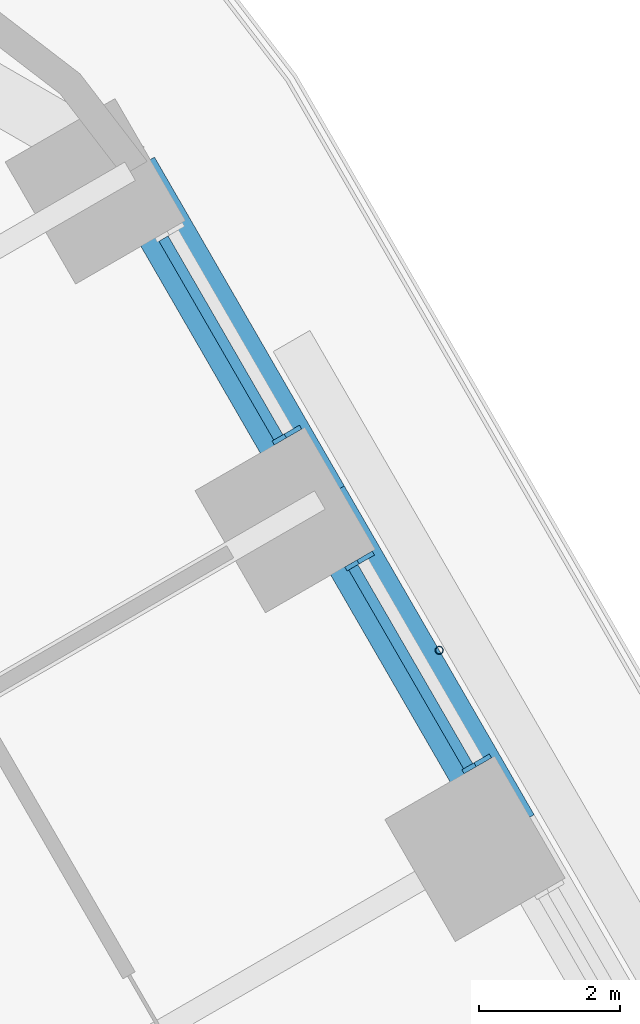
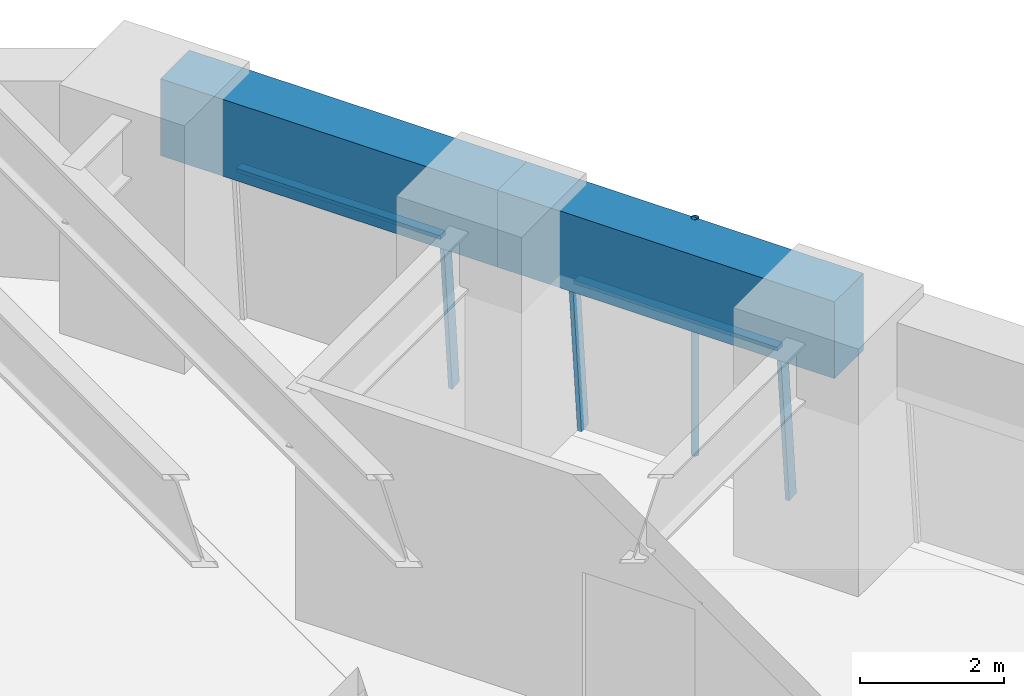
# One storey, part 11 of 23: 6 members, 2 beams, 2 elements without a shape of their own.
"""IFC4 building model written with IfcOpenShell, lengths in metres."""

import ifcopenshell
import ifcopenshell.guid

model = None  # the IFC model being written
_history = None  # IfcOwnerHistory: only IFC2X3 demands one
_inside = {}  # id of a spatial element -> (the spatial element, [elements in it])
_under = {}  # id of a project, library or spatial element -> (it, [spatial elements below it])
_declared = {}  # id of a project -> (the project, [libraries it declares])
_typed = {}  # id of a type object -> (the type object, [elements of that type])
_made_of = {}  # id of a material, layer set ... -> (it, [elements and type objects made of it])


def new_model(schema):
    """Start an empty IFC model of exactly this schema.

    Asked for "IFC4X3", IfcOpenShell would pick the latest addendum, in which some entities
    have other attributes; the version numbers below select the first issue.
    IFC2X3 requires an IfcOwnerHistory on every rooted entity: one is made here for all.
    """
    global model, _history
    if schema == "IFC4X3":
        model = ifcopenshell.file(schema_version=(4, 3, 0, 0))
    else:
        model = ifcopenshell.file(schema=schema)
    _inside.clear()
    _under.clear()
    _declared.clear()
    _typed.clear()
    _made_of.clear()
    _history = None
    if model.schema == "IFC2X3":
        org = make("IfcOrganization", Name="unknown")
        user = make(
            "IfcPersonAndOrganization",
            ThePerson=make("IfcPerson", FamilyName="unknown"),
            TheOrganization=org,
        )
        app = make(
            "IfcApplication",
            ApplicationDeveloper=org,
            Version="unknown",
            ApplicationFullName="unknown",
            ApplicationIdentifier="unknown",
        )
        _history = make(
            "IfcOwnerHistory",
            OwningUser=user,
            OwningApplication=app,
            ChangeAction="ADDED",
            CreationDate=0,
        )
    return model


def make(cls, **values):
    """One entity of the class cls with the attributes given. An attribute that is None is left unset."""
    return model.create_entity(
        cls, **{name: value for name, value in values.items() if value is not None}
    )


def rooted(cls, **values):
    """An entity with a GlobalId (a new one), such as an element, a storey or a relation."""
    return make(cls, GlobalId=ifcopenshell.guid.new(), OwnerHistory=_history, **values)


def si_unit(unit_type, name, prefix=None):
    """IfcSIUnit, for example si_unit("LENGTHUNIT", "METRE", prefix="MILLI")."""
    return make("IfcSIUnit", UnitType=unit_type, Prefix=prefix, Name=name)


def assignment(units):
    """IfcUnitAssignment: the units of a project."""
    return None if units is None else make("IfcUnitAssignment", Units=units)


def point(xyz):
    """IfcCartesianPoint."""
    return None if xyz is None else make("IfcCartesianPoint", Coordinates=xyz)


def direction(xyz):
    """IfcDirection."""
    return None if xyz is None else make("IfcDirection", DirectionRatios=xyz)


def frame(location, z_axis=None, x_axis=None):
    """IfcAxis2Placement3D, a coordinate frame: its origin and axes. An axis left out is left unset."""
    return make(
        "IfcAxis2Placement3D",
        Location=point(location),
        Axis=direction(z_axis),
        RefDirection=direction(x_axis),
    )


def frame_2d(location, x_axis=None):
    """IfcAxis2Placement2D, a coordinate frame in the plane: its origin and x axis."""
    return make(
        "IfcAxis2Placement2D", Location=point(location), RefDirection=direction(x_axis)
    )


def origin():
    """The frame at (0, 0, 0) with its axes left unset."""
    return frame((0.0, 0.0, 0.0))


def origin_2d():
    """The frame at (0, 0) in the plane with its x axis left unset."""
    return frame_2d((0.0, 0.0))


def place(relative_to, where):
    """IfcLocalPlacement: puts the frame where relative to a parent placement (None: the world)."""
    return make(
        "IfcLocalPlacement", PlacementRelTo=relative_to, RelativePlacement=where
    )


def context(
    kind, dimensions, precision=None, world=None, true_north=None, identifier=None
):
    """IfcGeometricRepresentationContext, for example the 3D "Model" context."""
    return make(
        "IfcGeometricRepresentationContext",
        ContextIdentifier=identifier,
        ContextType=kind,
        CoordinateSpaceDimension=dimensions,
        Precision=precision,
        WorldCoordinateSystem=world,
        TrueNorth=true_north,
    )


def subcontext(parent, identifier, kind, view, scale=None):
    """IfcGeometricRepresentationSubContext, for example "Body" below "Model"."""
    return make(
        "IfcGeometricRepresentationSubContext",
        ContextIdentifier=identifier,
        ContextType=kind,
        ParentContext=parent,
        TargetScale=scale,
        TargetView=view,
    )


def project(units=None, contexts=None):
    """IfcProject with its units and contexts."""
    return rooted(
        "IfcProject",
        Name="project",
        RepresentationContexts=contexts,
        UnitsInContext=assignment(units),
    )


def spatial(cls, under=None, at=None, **own):
    """A site, building, storey or space (cls), placed at a placement, below another one or the project."""
    s = rooted(cls, ObjectPlacement=at, **own)
    if under is not None:
        _under.setdefault(under.id(), (under, []))[1].append(s)
    return s


def profile(cls, at=None, kind="AREA", **sizes):
    """A parametric profile (cls). Its sizes go by their IFC names, for example OverallWidth=200.0."""
    return make(cls, ProfileType=kind, Position=at, **sizes)


def rectangle(**sizes):
    """IfcRectangleProfileDef."""
    return profile("IfcRectangleProfileDef", **sizes)


def hollow_circle(**sizes):
    """IfcCircleHollowProfileDef."""
    return profile("IfcCircleHollowProfileDef", **sizes)


def extrude(swept, where, along, depth):
    """IfcExtrudedAreaSolid: the profile swept, set in the frame where, extruded along a direction by depth."""
    return make(
        "IfcExtrudedAreaSolid",
        SweptArea=swept,
        Position=where,
        ExtrudedDirection=direction(along),
        Depth=depth,
    )


def shape(context_of_items, identifier, shape_type, items):
    """IfcShapeRepresentation: the items that make up one representation, for example the "Body"."""
    return make(
        "IfcShapeRepresentation",
        ContextOfItems=context_of_items,
        RepresentationIdentifier=identifier,
        RepresentationType=shape_type,
        Items=items,
    )


def material(Name=None, Category=None):
    """IfcMaterial."""
    return make("IfcMaterial", Name=Name, Category=Category)


def material_profile(
    of_material, cross_section, Name=None, Category=None, Priority=None
):
    """IfcMaterialProfile: a cross section and its material."""
    return make(
        "IfcMaterialProfile",
        Name=Name,
        Material=of_material,
        Profile=cross_section,
        Priority=Priority,
        Category=Category,
    )


def profile_set(profiles, Name=None, composite=None):
    """IfcMaterialProfileSet."""
    return make(
        "IfcMaterialProfileSet",
        Name=Name,
        MaterialProfiles=profiles,
        CompositeProfile=composite,
    )


def made_of(thing, what):
    """Note that an element or type object is made of a material, layer set ...; save() writes the relation."""
    if what is not None:
        _made_of.setdefault(what.id(), (what, []))[1].append(thing)
    return thing


def type_object(cls, material=None, **own):
    """A type object (cls), such as IfcWallType, which elements share."""
    return made_of(rooted(cls, **own), material)


def element(
    cls,
    number,
    at=None,
    inside=None,
    cuts=None,
    type_object=None,
    material=None,
    context=None,
    identifier="Body",
    shape_type=None,
    held_by="IfcProductDefinitionShape",
    body=None,
    shapes=None,
    **own,
):
    """One element of the class cls, such as IfcWall. Its Tag is "e" and its number.

    at: its placement. inside: the storey or other place that contains it. cuts: it is an
    opening in that element (IfcRelVoidsElement). A single representation is given by context,
    identifier, shape_type and body (its items); several are given by shapes. held_by: the class
    of the entity that holds the representations. save() writes the other relations.
    """
    e = rooted(cls, Tag="e%d" % number, ObjectPlacement=at, **own)
    if body is not None:
        shapes = [shape(context, identifier, shape_type, body)]
    if shapes is not None:
        e.Representation = make(held_by, Representations=shapes)
    if inside is not None:
        _inside.setdefault(inside.id(), (inside, []))[1].append(e)
    if cuts is not None:
        rooted(
            "IfcRelVoidsElement", RelatingBuildingElement=cuts, RelatedOpeningElement=e
        )
    if type_object is not None:
        _typed.setdefault(type_object.id(), (type_object, []))[1].append(e)
    return made_of(e, material)


def aggregate(whole, parts):
    """IfcRelAggregates: a whole, such as a stair, and the parts it consists of."""
    return rooted("IfcRelAggregates", RelatingObject=whole, RelatedObjects=parts)


def save(model, path):
    """Write the relations noted so far, then the file.

    IfcRelAggregates (storeys below a building ...), IfcRelContainedInSpatialStructure (elements
    in a storey), IfcRelDefinesByType, IfcRelAssociatesMaterial and IfcRelDeclares: one each for
    every whole, place, type object, material and project.
    """
    for whole, parts in _under.values():
        aggregate(whole, parts)
    for where, things in _inside.values():
        rooted(
            "IfcRelContainedInSpatialStructure",
            RelatedElements=things,
            RelatingStructure=where,
        )
    for kind, things in _typed.values():
        rooted("IfcRelDefinesByType", RelatedObjects=things, RelatingType=kind)
    for what, things in _made_of.values():
        rooted("IfcRelAssociatesMaterial", RelatedObjects=things, RelatingMaterial=what)
    for by, libraries in _declared.values():
        rooted("IfcRelDeclares", RelatingContext=by, RelatedDefinitions=libraries)
    model.write(path)


model = new_model("IFC4")

# Units and contexts
model_context = context("Model", 3, precision=1e-05, world=origin(), true_north=direction((0.0, 1.0)))
body_context = subcontext(model_context, "Body", "Model", "MODEL_VIEW")
ifc_project = project(units=[si_unit("LENGTHUNIT", "METRE"), si_unit("AREAUNIT", "SQUARE_METRE"), si_unit("VOLUMEUNIT", "CUBIC_METRE"), si_unit("PLANEANGLEUNIT", "RADIAN"), si_unit("MASSUNIT", "GRAM", prefix="KILO")], contexts=[model_context])

# Site, building, storey
site_placement = place(None, origin())
site = spatial("IfcSite", under=ifc_project, at=site_placement, CompositionType="ELEMENT")
building_placement = place(site_placement, origin())
building = spatial("IfcBuilding", under=site, at=building_placement, Name="Tarfa Lantern Tower", CompositionType="ELEMENT")
storey_placement = place(building_placement, frame((0.0, 0.0, 61.300048828125)))
storey = spatial("IfcBuildingStorey", under=building, at=storey_placement, Name="L13", CompositionType="ELEMENT", Elevation=61.300048828125)

# Curtain wall, members
ifc_material_1 = material(Name="Aluminium framed curtain wall", Category="aluminium")
curtain_wall_type = type_object("IfcCurtainWallType", Name="CW1 CANTED GLAZING LOW ZONE 2700", PredefinedType="USERDEFINED", material=ifc_material_1)
curtain_wall_1_placement = place(storey_placement, origin())
curtain_wall_1 = element("IfcCurtainWall", 1, at=curtain_wall_1_placement, inside=storey, type_object=curtain_wall_type, Name="CW1 NE L13", ObjectType="CURTAIN WALL", PredefinedType="USERDEFINED")
ifc_material_2 = material(Name="Aluminium mullion", Category="aluminium")
ifc_material_profile_1 = material_profile(ifc_material_2, rectangle(XDim=0.06494140625, YDim=0.199951171875, at=origin_2d()), Name="AL MULLION 65x200")
ifc_profile_set_1 = profile_set([ifc_material_profile_1], Name="Aluminium mullion")
member_type_1 = type_object("IfcMemberType", Name="CWM1 MULLION 65x200", PredefinedType="MULLION", material=ifc_profile_set_1)
member_1_placement = place(storey_placement, frame((26.147705078125, 22.5107421875, 0.0), z_axis=(-0.07986442134, -0.046099868913, 0.99573916077), x_axis=(0.499919672301, -0.866071776036, 0.0)))
member_1 = element("IfcMember", 2, at=member_1_placement, type_object=member_type_1, Name="CW1 mullion 1", PredefinedType="MULLION", context=body_context, shape_type="SweptSolid", body=[
    extrude(rectangle(XDim=0.06494140625, YDim=0.199951171875, at=origin_2d()), origin(), (0.0, 0.0, 1.0), 2.71142578125),
])
member_2_placement = place(storey_placement, frame((24.48583984375, 25.38916015625, 0.0), z_axis=(-0.07986442134, -0.046099868913, 0.99573916077), x_axis=(0.499919672301, -0.866071776036, 0.0)))
member_2 = element("IfcMember", 3, at=member_2_placement, type_object=member_type_1, Name="CW1 mullion 2", PredefinedType="MULLION", context=body_context, shape_type="SweptSolid", body=[
    extrude(rectangle(XDim=0.06494140625, YDim=0.199951171875, at=origin_2d()), origin(), (0.0, 0.0, 1.0), 2.71142578125),
])

# Curtain wall, member
curtain_wall_2_placement = place(storey_placement, origin())
curtain_wall_2 = element("IfcCurtainWall", 4, at=curtain_wall_2_placement, inside=storey, type_object=curtain_wall_type, Name="CW1 NE L13", ObjectType="CURTAIN WALL", PredefinedType="USERDEFINED")
member_3_placement = place(storey_placement, frame((23.453369140625, 27.177490234375, 0.0), z_axis=(-0.07986442134, -0.046099868913, 0.99573916077), x_axis=(0.499919672301, -0.866071776036, 0.0)))
member_3 = element("IfcMember", 5, at=member_3_placement, type_object=member_type_1, Name="CW1 mullion 1", PredefinedType="MULLION", context=body_context, shape_type="SweptSolid", body=[
    extrude(rectangle(XDim=0.06494140625, YDim=0.199951171875, at=origin_2d()), origin(), (0.0, 0.0, 1.0), 2.71142578125),
])

# Member
ifc_material_3 = material(Name="Aluminium transom", Category="aluminium")
ifc_material_profile_2 = material_profile(ifc_material_3, rectangle(XDim=0.14990234375, YDim=0.06494140625, at=origin_2d()), Name="AL TRANSOM 150x65")
ifc_profile_set_2 = profile_set([ifc_material_profile_2], Name="Aluminium transom")
member_type_2 = type_object("IfcMemberType", Name="CWT1 TRANSOM 150x65", PredefinedType="USERDEFINED", material=ifc_profile_set_2)
member_4_placement = place(storey_placement, frame((25.91748046875, 22.41552734375, 2.66748046875), z_axis=(-0.499966746847, 0.86604460165, 0.0), x_axis=(-0.86604460165, -0.499966746847, 0.0)))
member_4 = element("IfcMember", 6, at=member_4_placement, type_object=member_type_2, Name="CW1 transom 1.2", ObjectType="TRANSOM", PredefinedType="USERDEFINED", context=body_context, shape_type="SweptSolid", body=[
    extrude(rectangle(XDim=0.14990234375, YDim=0.06494140625, at=origin_2d()), origin(), (0.0, 0.0, 1.0), 3.258544921875),
])

aggregate(curtain_wall_1, [member_1, member_2, member_4])

member_5_placement = place(storey_placement, frame((23.22314453125, 27.082275390625, 2.66748046875), z_axis=(-0.499966746847, 0.86604460165, 0.0), x_axis=(-0.86604460165, -0.499966746847, 0.0)))
member_5 = element("IfcMember", 7, at=member_5_placement, type_object=member_type_2, Name="CW1 transom 1.2", ObjectType="TRANSOM", PredefinedType="USERDEFINED", context=body_context, shape_type="SweptSolid", body=[
    extrude(rectangle(XDim=0.14990234375, YDim=0.06494140625, at=origin_2d()), origin(), (0.0, 0.0, 1.0), 3.258544921875),
])

aggregate(curtain_wall_2, [member_3, member_5])

# Beams
ifc_material_4 = material(Name="Concrete C80/95", Category="concrete")
ifc_material_profile_3 = material_profile(ifc_material_4, rectangle(XDim=0.800048828125, YDim=1.300048828125, at=origin_2d()), Name="RC 800x1300")
ifc_profile_set_3 = profile_set([ifc_material_profile_3], Name="Concrete C80/95")
beam_type = type_object("IfcBeamType", Name="EB1 RC 800x1300", PredefinedType="SPANDREL", material=ifc_profile_set_3)
for number, where, z_axis, x_axis, name in (
    (8, (26.508056640625, 21.526611328125, 3.349853515625), (-0.499998287579, 0.866026392449, 0.0), (-0.866026392449, -0.499998287579, 0.0), "Edge beam NE4"),
    (9, (23.813720703125, 26.193359375, 3.349853515625), (-0.499998287579, 0.866026392449, 0.0), (-0.866026392449, -0.499998287579, 0.0), "Edge beam NE5"),
):
    element("IfcBeam", number, at=place(storey_placement, frame(where, z_axis=z_axis, x_axis=x_axis)), inside=storey, type_object=beam_type, Name=name, PredefinedType="SPANDREL", context=body_context, shape_type="SweptSolid", body=[
        extrude(rectangle(XDim=0.800048828125, YDim=1.300048828125, at=origin_2d()), origin(), (0.0, 0.0, 1.0), 5.388671875),
    ])

# Member
ifc_material_5 = material(Name="Steel S355", Category="steel")
ifc_material_profile_4 = material_profile(ifc_material_5, hollow_circle(Radius=0.05712890625, WallThickness=0.00634765625, at=origin_2d()), Name="CHS114.3x6.3")
ifc_profile_set_4 = profile_set([ifc_material_profile_4], Name="Steel S355")
member_type_3 = type_object("IfcMemberType", Name="TR1 GREEN WALL TRELLIS CHS114.3x6.3", PredefinedType="USERDEFINED", material=ifc_profile_set_4)
member_6_placement = place(storey_placement, frame((25.50732421875, 24.06005859375, 0.0), z_axis=(0.0, 0.0, 1.0), x_axis=(1.0, 0.0, 0.0)))
element("IfcMember", 10, at=member_6_placement, inside=storey, type_object=member_type_3, Name="Trellis post NE 2", ObjectType="TRELLIS", PredefinedType="USERDEFINED", context=body_context, shape_type="SweptSolid", body=[
    extrude(hollow_circle(Radius=0.05712890625, WallThickness=0.00634765625, at=origin_2d()), origin(), (0.0, 0.0, 1.0), 4.0),
])

save(model, "model.ifc")
